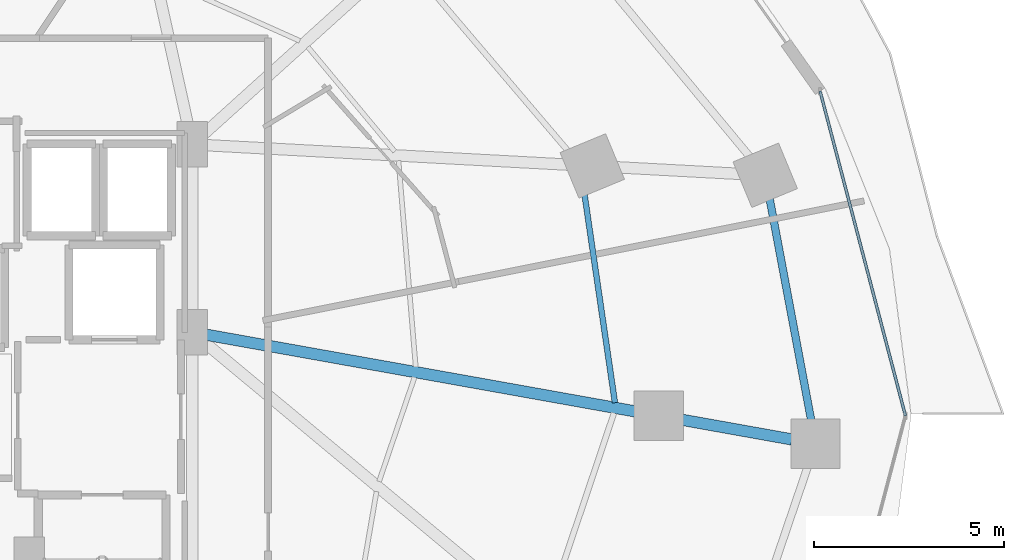
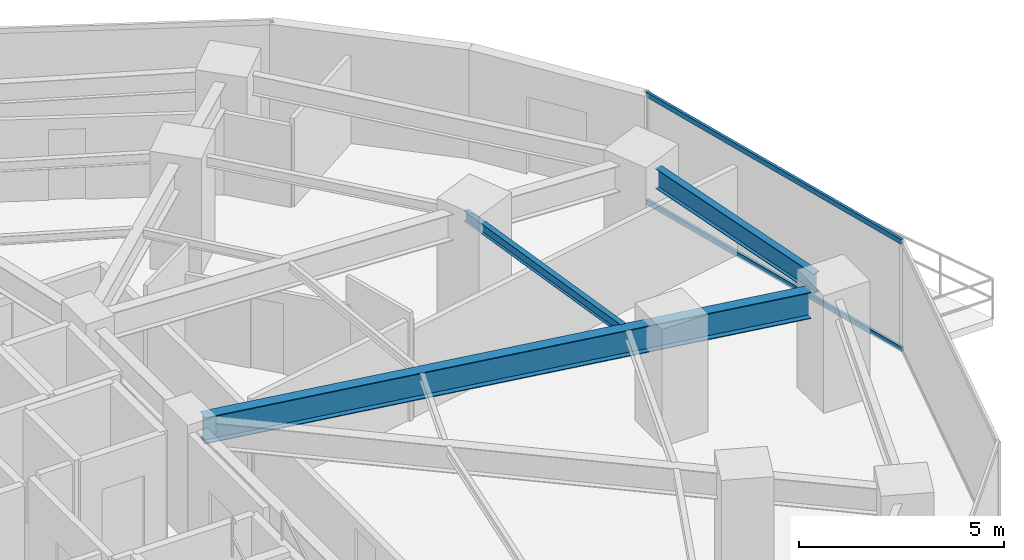
# One storey, part 16 of 33: 3 beams, 2 members, 1 element without a shape of its own.
"""IFC4 building model written with IfcOpenShell, lengths in metres."""

import ifcopenshell
import ifcopenshell.guid

model = None  # the IFC model being written
_history = None  # IfcOwnerHistory: only IFC2X3 demands one
_inside = {}  # id of a spatial element -> (the spatial element, [elements in it])
_under = {}  # id of a project, library or spatial element -> (it, [spatial elements below it])
_declared = {}  # id of a project -> (the project, [libraries it declares])
_typed = {}  # id of a type object -> (the type object, [elements of that type])
_made_of = {}  # id of a material, layer set ... -> (it, [elements and type objects made of it])


def new_model(schema):
    """Start an empty IFC model of exactly this schema.

    Asked for "IFC4X3", IfcOpenShell would pick the latest addendum, in which some entities
    have other attributes; the version numbers below select the first issue.
    IFC2X3 requires an IfcOwnerHistory on every rooted entity: one is made here for all.
    """
    global model, _history
    if schema == "IFC4X3":
        model = ifcopenshell.file(schema_version=(4, 3, 0, 0))
    else:
        model = ifcopenshell.file(schema=schema)
    _inside.clear()
    _under.clear()
    _declared.clear()
    _typed.clear()
    _made_of.clear()
    _history = None
    if model.schema == "IFC2X3":
        org = make("IfcOrganization", Name="unknown")
        user = make(
            "IfcPersonAndOrganization",
            ThePerson=make("IfcPerson", FamilyName="unknown"),
            TheOrganization=org,
        )
        app = make(
            "IfcApplication",
            ApplicationDeveloper=org,
            Version="unknown",
            ApplicationFullName="unknown",
            ApplicationIdentifier="unknown",
        )
        _history = make(
            "IfcOwnerHistory",
            OwningUser=user,
            OwningApplication=app,
            ChangeAction="ADDED",
            CreationDate=0,
        )
    return model


def make(cls, **values):
    """One entity of the class cls with the attributes given. An attribute that is None is left unset."""
    return model.create_entity(
        cls, **{name: value for name, value in values.items() if value is not None}
    )


def rooted(cls, **values):
    """An entity with a GlobalId (a new one), such as an element, a storey or a relation."""
    return make(cls, GlobalId=ifcopenshell.guid.new(), OwnerHistory=_history, **values)


def si_unit(unit_type, name, prefix=None):
    """IfcSIUnit, for example si_unit("LENGTHUNIT", "METRE", prefix="MILLI")."""
    return make("IfcSIUnit", UnitType=unit_type, Prefix=prefix, Name=name)


def assignment(units):
    """IfcUnitAssignment: the units of a project."""
    return None if units is None else make("IfcUnitAssignment", Units=units)


def point(xyz):
    """IfcCartesianPoint."""
    return None if xyz is None else make("IfcCartesianPoint", Coordinates=xyz)


def direction(xyz):
    """IfcDirection."""
    return None if xyz is None else make("IfcDirection", DirectionRatios=xyz)


def frame(location, z_axis=None, x_axis=None):
    """IfcAxis2Placement3D, a coordinate frame: its origin and axes. An axis left out is left unset."""
    return make(
        "IfcAxis2Placement3D",
        Location=point(location),
        Axis=direction(z_axis),
        RefDirection=direction(x_axis),
    )


def frame_2d(location, x_axis=None):
    """IfcAxis2Placement2D, a coordinate frame in the plane: its origin and x axis."""
    return make(
        "IfcAxis2Placement2D", Location=point(location), RefDirection=direction(x_axis)
    )


def origin():
    """The frame at (0, 0, 0) with its axes left unset."""
    return frame((0.0, 0.0, 0.0))


def origin_2d():
    """The frame at (0, 0) in the plane with its x axis left unset."""
    return frame_2d((0.0, 0.0))


def place(relative_to, where):
    """IfcLocalPlacement: puts the frame where relative to a parent placement (None: the world)."""
    return make(
        "IfcLocalPlacement", PlacementRelTo=relative_to, RelativePlacement=where
    )


def context(
    kind, dimensions, precision=None, world=None, true_north=None, identifier=None
):
    """IfcGeometricRepresentationContext, for example the 3D "Model" context."""
    return make(
        "IfcGeometricRepresentationContext",
        ContextIdentifier=identifier,
        ContextType=kind,
        CoordinateSpaceDimension=dimensions,
        Precision=precision,
        WorldCoordinateSystem=world,
        TrueNorth=true_north,
    )


def subcontext(parent, identifier, kind, view, scale=None):
    """IfcGeometricRepresentationSubContext, for example "Body" below "Model"."""
    return make(
        "IfcGeometricRepresentationSubContext",
        ContextIdentifier=identifier,
        ContextType=kind,
        ParentContext=parent,
        TargetScale=scale,
        TargetView=view,
    )


def project(units=None, contexts=None):
    """IfcProject with its units and contexts."""
    return rooted(
        "IfcProject",
        Name="project",
        RepresentationContexts=contexts,
        UnitsInContext=assignment(units),
    )


def spatial(cls, under=None, at=None, **own):
    """A site, building, storey or space (cls), placed at a placement, below another one or the project."""
    s = rooted(cls, ObjectPlacement=at, **own)
    if under is not None:
        _under.setdefault(under.id(), (under, []))[1].append(s)
    return s


def profile(cls, at=None, kind="AREA", **sizes):
    """A parametric profile (cls). Its sizes go by their IFC names, for example OverallWidth=200.0."""
    return make(cls, ProfileType=kind, Position=at, **sizes)


def hollow_rectangle(**sizes):
    """IfcRectangleHollowProfileDef."""
    return profile("IfcRectangleHollowProfileDef", **sizes)


def i_section(**sizes):
    """IfcIShapeProfileDef."""
    return profile("IfcIShapeProfileDef", **sizes)


def extrude(swept, where, along, depth):
    """IfcExtrudedAreaSolid: the profile swept, set in the frame where, extruded along a direction by depth."""
    return make(
        "IfcExtrudedAreaSolid",
        SweptArea=swept,
        Position=where,
        ExtrudedDirection=direction(along),
        Depth=depth,
    )


def shape(context_of_items, identifier, shape_type, items):
    """IfcShapeRepresentation: the items that make up one representation, for example the "Body"."""
    return make(
        "IfcShapeRepresentation",
        ContextOfItems=context_of_items,
        RepresentationIdentifier=identifier,
        RepresentationType=shape_type,
        Items=items,
    )


def material(Name=None, Category=None):
    """IfcMaterial."""
    return make("IfcMaterial", Name=Name, Category=Category)


def material_profile(
    of_material, cross_section, Name=None, Category=None, Priority=None
):
    """IfcMaterialProfile: a cross section and its material."""
    return make(
        "IfcMaterialProfile",
        Name=Name,
        Material=of_material,
        Profile=cross_section,
        Priority=Priority,
        Category=Category,
    )


def profile_set(profiles, Name=None, composite=None):
    """IfcMaterialProfileSet."""
    return make(
        "IfcMaterialProfileSet",
        Name=Name,
        MaterialProfiles=profiles,
        CompositeProfile=composite,
    )


def made_of(thing, what):
    """Note that an element or type object is made of a material, layer set ...; save() writes the relation."""
    if what is not None:
        _made_of.setdefault(what.id(), (what, []))[1].append(thing)
    return thing


def type_object(cls, material=None, **own):
    """A type object (cls), such as IfcWallType, which elements share."""
    return made_of(rooted(cls, **own), material)


def element(
    cls,
    number,
    at=None,
    inside=None,
    cuts=None,
    type_object=None,
    material=None,
    context=None,
    identifier="Body",
    shape_type=None,
    held_by="IfcProductDefinitionShape",
    body=None,
    shapes=None,
    **own,
):
    """One element of the class cls, such as IfcWall. Its Tag is "e" and its number.

    at: its placement. inside: the storey or other place that contains it. cuts: it is an
    opening in that element (IfcRelVoidsElement). A single representation is given by context,
    identifier, shape_type and body (its items); several are given by shapes. held_by: the class
    of the entity that holds the representations. save() writes the other relations.
    """
    e = rooted(cls, Tag="e%d" % number, ObjectPlacement=at, **own)
    if body is not None:
        shapes = [shape(context, identifier, shape_type, body)]
    if shapes is not None:
        e.Representation = make(held_by, Representations=shapes)
    if inside is not None:
        _inside.setdefault(inside.id(), (inside, []))[1].append(e)
    if cuts is not None:
        rooted(
            "IfcRelVoidsElement", RelatingBuildingElement=cuts, RelatedOpeningElement=e
        )
    if type_object is not None:
        _typed.setdefault(type_object.id(), (type_object, []))[1].append(e)
    return made_of(e, material)


def aggregate(whole, parts):
    """IfcRelAggregates: a whole, such as a stair, and the parts it consists of."""
    return rooted("IfcRelAggregates", RelatingObject=whole, RelatedObjects=parts)


def save(model, path):
    """Write the relations noted so far, then the file.

    IfcRelAggregates (storeys below a building ...), IfcRelContainedInSpatialStructure (elements
    in a storey), IfcRelDefinesByType, IfcRelAssociatesMaterial and IfcRelDeclares: one each for
    every whole, place, type object, material and project.
    """
    for whole, parts in _under.values():
        aggregate(whole, parts)
    for where, things in _inside.values():
        rooted(
            "IfcRelContainedInSpatialStructure",
            RelatedElements=things,
            RelatingStructure=where,
        )
    for kind, things in _typed.values():
        rooted("IfcRelDefinesByType", RelatedObjects=things, RelatingType=kind)
    for what, things in _made_of.values():
        rooted("IfcRelAssociatesMaterial", RelatedObjects=things, RelatingMaterial=what)
    for by, libraries in _declared.values():
        rooted("IfcRelDeclares", RelatingContext=by, RelatedDefinitions=libraries)
    model.write(path)


model = new_model("IFC4")

# Units and contexts
model_context = context("Model", 3, precision=1e-05, world=origin(), true_north=direction((0.0, 1.0)))
body_context = subcontext(model_context, "Body", "Model", "MODEL_VIEW")
ifc_project = project(units=[si_unit("LENGTHUNIT", "METRE"), si_unit("AREAUNIT", "SQUARE_METRE"), si_unit("VOLUMEUNIT", "CUBIC_METRE"), si_unit("PLANEANGLEUNIT", "RADIAN"), si_unit("MASSUNIT", "GRAM", prefix="KILO")], contexts=[model_context])

# Site, building, storey
site_placement = place(None, origin())
site = spatial("IfcSite", under=ifc_project, at=site_placement, CompositionType="ELEMENT")
building_placement = place(site_placement, origin())
building = spatial("IfcBuilding", under=site, at=building_placement, Name="Vorneva Point Tower", CompositionType="ELEMENT")
storey_placement = place(building_placement, frame((0.0, 0.0, 38.0)))
storey = spatial("IfcBuildingStorey", under=building, at=storey_placement, Name="L09", CompositionType="ELEMENT", Elevation=38.0)

# Beams
ifc_material_1 = material(Name="Steel S355", Category="steel")
ifc_material_profile_1 = material_profile(ifc_material_1, i_section(OverallWidth=0.300048828125, OverallDepth=0.7880859375, WebThickness=0.014404296875, FlangeThickness=0.02197265625, at=origin_2d()), Name="80Sh1")
ifc_profile_set_1 = profile_set([ifc_material_profile_1], Name="Steel S355")
beam_type_1 = type_object("IfcBeamType", Name="BM-GRD-80Sh1", PredefinedType="USERDEFINED", material=ifc_profile_set_1)
beam_1_placement = place(storey_placement, frame((64.55419921875, 25.373291015625, 2.845947265625), z_axis=(-0.984378664832, 0.176064318428, 0.0), x_axis=(-0.176064318428, -0.984378664832, 0.0)))
element("IfcBeam", 1, at=beam_1_placement, inside=storey, type_object=beam_type_1, Name="L09 Radial Primary Girder 01", ObjectType="GIRDER", PredefinedType="USERDEFINED", context=body_context, shape_type="SweptSolid", body=[
    extrude(i_section(OverallWidth=0.300048828125, OverallDepth=0.7880859375, WebThickness=0.014404296875, FlangeThickness=0.02197265625, at=origin_2d()), origin(), (0.0, 0.0, 1.0), 15.715087890625),
])
ifc_material_profile_2 = material_profile(ifc_material_1, i_section(OverallWidth=0.14892578125, OverallDepth=0.298095703125, WebThickness=0.005615234375, FlangeThickness=0.008056640625, at=origin_2d()), Name="30B1")
ifc_profile_set_2 = profile_set([ifc_material_profile_2], Name="Steel S355")
beam_type_2 = type_object("IfcBeamType", Name="BM-JST-30B1", PredefinedType="JOIST", material=ifc_profile_set_2)
beam_2_placement = place(storey_placement, frame((59.893310546875, 26.33984375, 3.091064453125), z_axis=(-0.144525009164, 0.989501147916, 0.0), x_axis=(-0.989501147916, -0.144525009164, 0.0)))
element("IfcBeam", 2, at=beam_2_placement, inside=storey, type_object=beam_type_2, Name="L09 Secondary Floor Beam 1.01", PredefinedType="JOIST", context=body_context, shape_type="SweptSolid", body=[
    extrude(i_section(OverallWidth=0.14892578125, OverallDepth=0.298095703125, WebThickness=0.005615234375, FlangeThickness=0.008056640625, at=origin_2d()), origin(), (0.0, 0.0, 1.0), 6.187744140625),
])
ifc_material_profile_3 = material_profile(ifc_material_1, i_section(OverallWidth=0.198974609375, OverallDepth=0.595947265625, WebThickness=0.010009765625, FlangeThickness=0.014892578125, at=origin_2d()), Name="60B1")
ifc_profile_set_3 = profile_set([ifc_material_profile_3], Name="Steel S355")
beam_type_3 = type_object("IfcBeamType", Name="BM-SPN-60B1", PredefinedType="SPANDREL", material=ifc_profile_set_3)
beam_3_placement = place(storey_placement, frame((65.06494140625, 25.885009765625, 2.94189453125), z_axis=(-0.184383004327, 0.982854469245, 0.0), x_axis=(-0.982854469245, -0.184383004327, 0.0)))
element("IfcBeam", 3, at=beam_3_placement, inside=storey, type_object=beam_type_3, Name="L09 Perimeter Spandrel Ring Beam 01", PredefinedType="SPANDREL", context=body_context, shape_type="SweptSolid", body=[
    extrude(i_section(OverallWidth=0.198974609375, OverallDepth=0.595947265625, WebThickness=0.010009765625, FlangeThickness=0.014892578125, at=origin_2d()), origin(), (0.0, 0.0, 1.0), 5.92919921875),
])

# Curtain wall, members
ifc_material_2 = material(Name="Pale anodised aluminium", Category="aluminium")
curtain_wall_type = type_object("IfcCurtainWallType", Name="CW-HTL-SYS", PredefinedType="NOTDEFINED", material=ifc_material_2)
curtain_wall_placement = place(storey_placement, origin())
curtain_wall = element("IfcCurtainWall", 4, at=curtain_wall_placement, inside=storey, type_object=curtain_wall_type, Name="L09 Unitised Curtain Wall CW-L09-R01", PredefinedType="NOTDEFINED")
ifc_material_profile_4 = material_profile(ifc_material_2, hollow_rectangle(XDim=0.074951171875, YDim=0.14990234375, WallThickness=0.00390625, at=origin_2d()), Name="AL-TRN 150x75x4")
ifc_profile_set_4 = profile_set([ifc_material_profile_4], Name="Pale anodised aluminium")
member_type = type_object("IfcMemberType", Name="CW-TRN-150", PredefinedType="USERDEFINED", material=ifc_profile_set_4)
member_1_placement = place(storey_placement, frame((67.550048828125, 26.0, 0.02001953125), z_axis=(-0.254358772746, 0.967109928978, 0.0), x_axis=(-0.967109928978, -0.254358772746, 0.0)))
member_1 = element("IfcMember", 5, at=member_1_placement, type_object=member_type, Name="CW-L09-R01 Transom 03.1", ObjectType="TRANSOM", PredefinedType="USERDEFINED", context=body_context, shape_type="SweptSolid", body=[
    extrude(hollow_rectangle(XDim=0.074951171875, YDim=0.14990234375, WallThickness=0.00390625, at=origin_2d()), origin(), (0.0, 0.0, 1.0), 8.84375),
])
member_2_placement = place(storey_placement, frame((67.550048828125, 26.0, 3.219970703125), z_axis=(-0.254358772746, 0.967109928978, 0.0), x_axis=(-0.967109928978, -0.254358772746, 0.0)))
member_2 = element("IfcMember", 6, at=member_2_placement, type_object=member_type, Name="CW-L09-R01 Transom 03.2", ObjectType="TRANSOM", PredefinedType="USERDEFINED", context=body_context, shape_type="SweptSolid", body=[
    extrude(hollow_rectangle(XDim=0.074951171875, YDim=0.14990234375, WallThickness=0.00390625, at=origin_2d()), origin(), (0.0, 0.0, 1.0), 8.84375),
])
aggregate(curtain_wall, [member_1, member_2])

save(model, "model.ifc")
